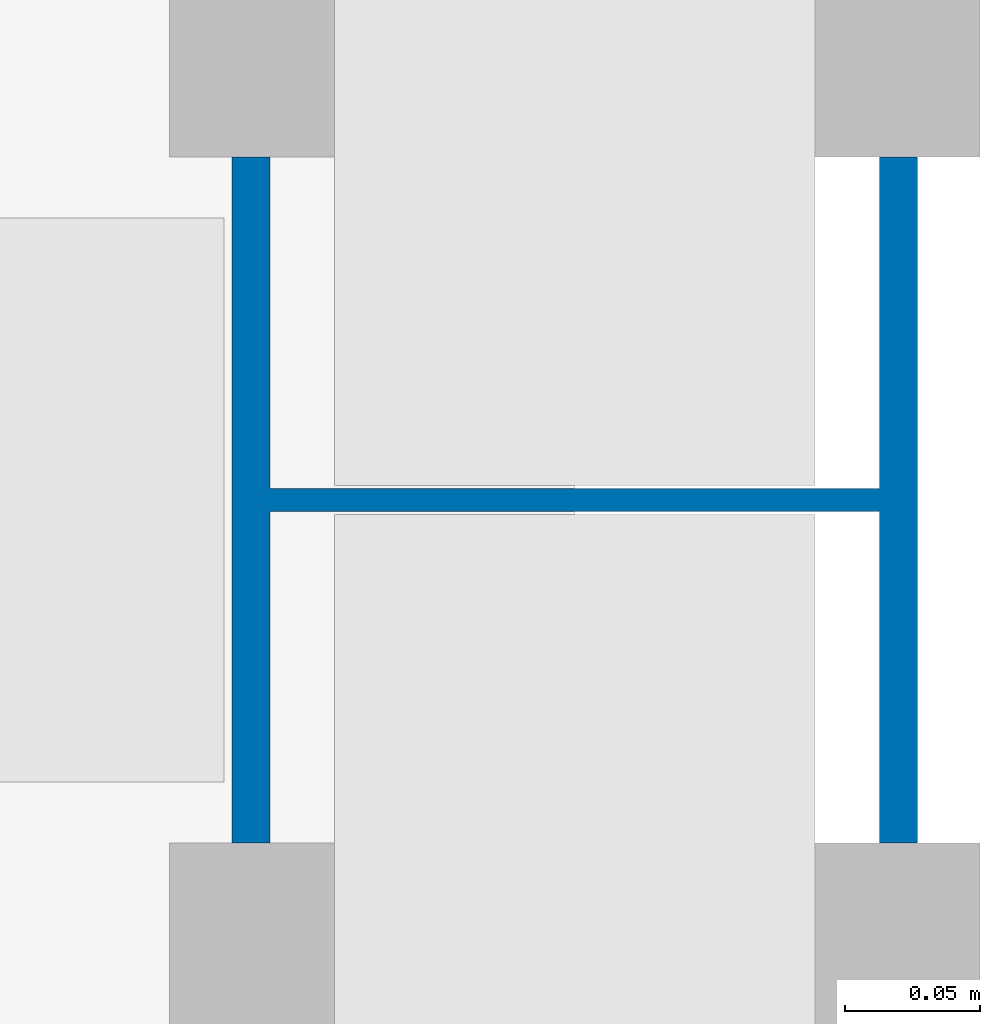
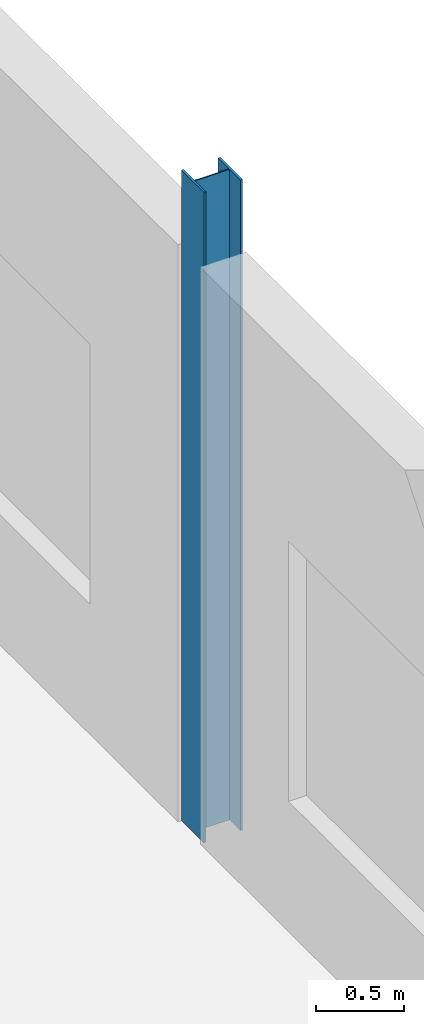
# One storey, part 23 of 138: 1 column.
"""IFC4 building model written with IfcOpenShell, lengths in metres."""

from ifc_helpers import new_model, si_unit, direction, frame, origin, origin_2d, place, context, subcontext, project, spatial, i_section, extrude, material, material_profile, profile_set, type_object, element, save


model = new_model("IFC4")

# Units and contexts
model_context = context("Model", 3, precision=1e-05, world=origin(), true_north=direction((0.0, 1.0)))
body_context = subcontext(model_context, "Body", "Model", "MODEL_VIEW")
ifc_project = project(units=[si_unit("LENGTHUNIT", "METRE"), si_unit("AREAUNIT", "SQUARE_METRE"), si_unit("VOLUMEUNIT", "CUBIC_METRE"), si_unit("PLANEANGLEUNIT", "RADIAN"), si_unit("MASSUNIT", "GRAM", prefix="KILO")], contexts=[model_context])

# Site, building, storey
site_placement = place(None, origin())
site = spatial("IfcSite", under=ifc_project, at=site_placement, CompositionType="ELEMENT")
building_placement = place(site_placement, origin())
building = spatial("IfcBuilding", under=site, at=building_placement, Name="Corbel Yard City Hall", CompositionType="ELEMENT")
storey_placement = place(building_placement, frame((0.0, 0.0, 10.5)))
storey = spatial("IfcBuildingStorey", under=building, at=storey_placement, Name="L02", CompositionType="ELEMENT", Elevation=10.5)

# Column
ifc_material = material(Name="Steel Grade 300 (300 MPa yield)", Category="steel")
ifc_material_profile = material_profile(ifc_material, i_section(OverallWidth=0.25390625, OverallDepth=0.25390625, WebThickness=0.008544921875, FlangeThickness=0.01416015625, at=origin_2d()), Name="250UC72.9")
ifc_profile_set = profile_set([ifc_material_profile], Name="Steel Grade 300 (300 MPa yield)")
column_type = type_object("IfcColumnType", Name="Column 250UC72.9", PredefinedType="COLUMN", material=ifc_profile_set)
column_placement = place(storey_placement, frame((180.0, 63.0, 0.0), z_axis=(0.0, 0.0, 1.0), x_axis=(0.0, 1.0, 0.0)))
element("IfcColumn", 1, at=column_placement, inside=storey, type_object=column_type, Name="Column 250UC72.9 H/21 L02", PredefinedType="COLUMN", context=body_context, shape_type="SweptSolid", body=[
    extrude(i_section(OverallWidth=0.25390625, OverallDepth=0.25390625, WebThickness=0.008544921875, FlangeThickness=0.01416015625, at=origin_2d()), origin(), (0.0, 0.0, 1.0), 4.5),
])

save(model, "model.ifc")
